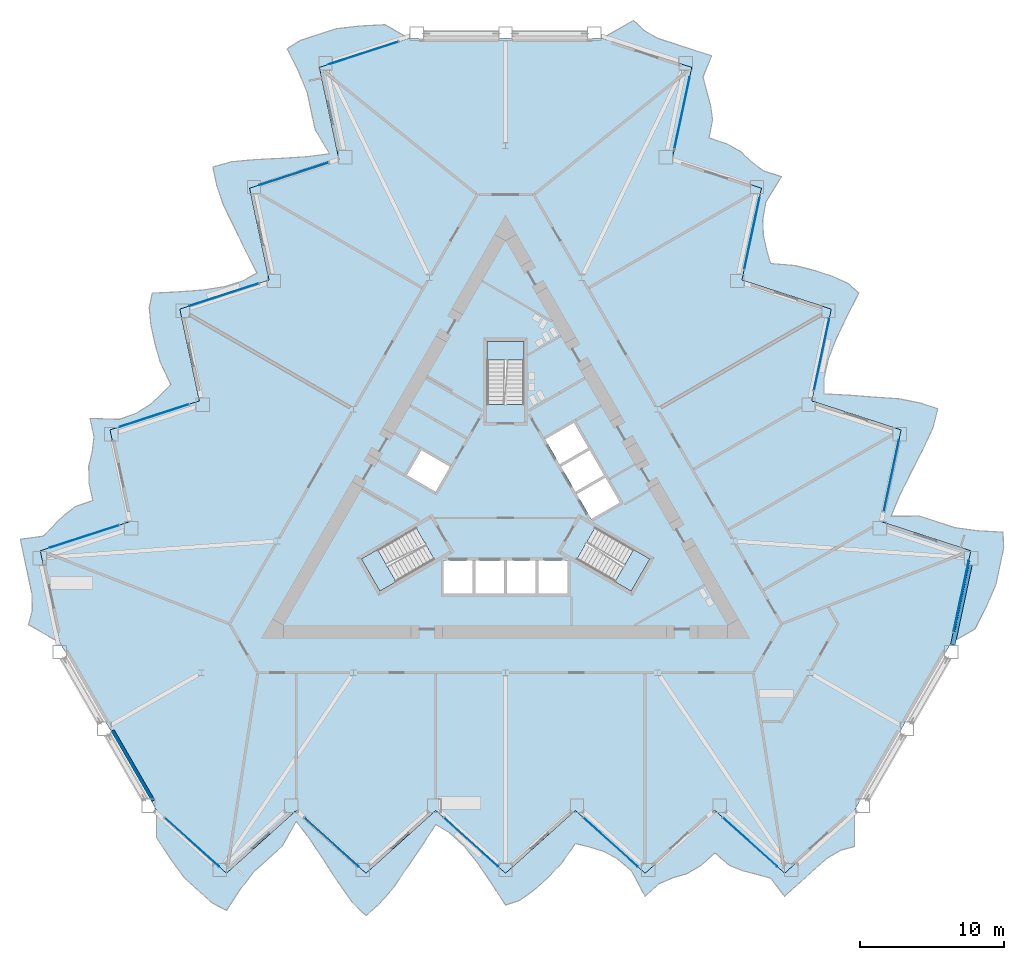
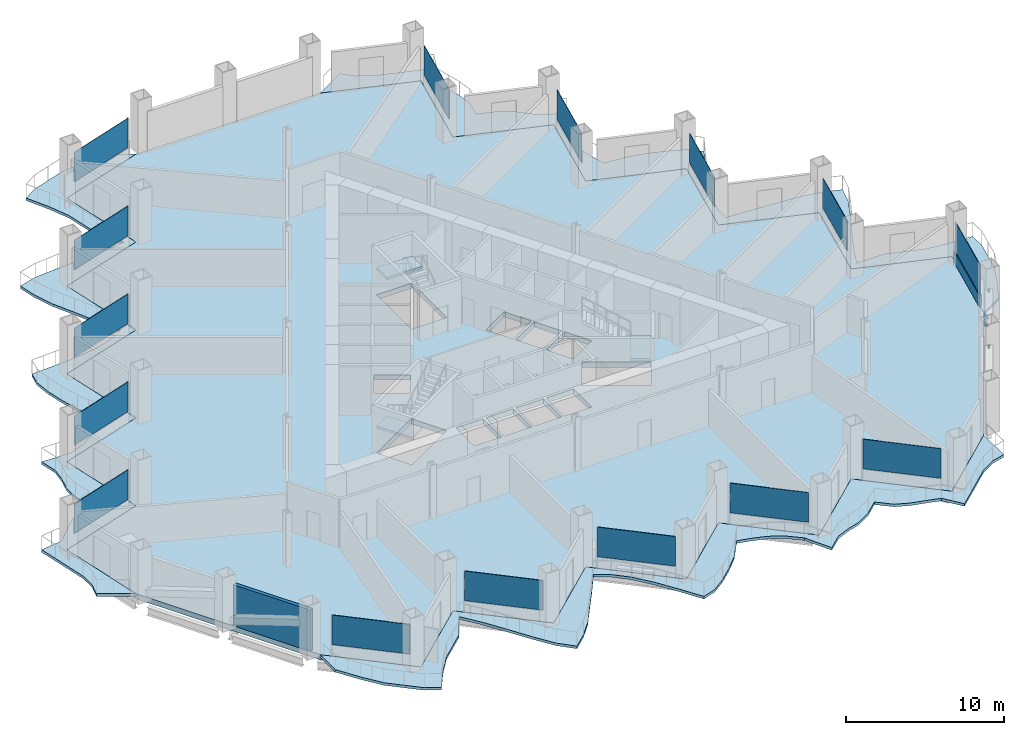
# One storey, part 8 of 21: 15 plates, 7 slabs, 1 beam, 1 member, 1 wall, 18 elements without a shape of their own.
"""IFC4 building model written with IfcOpenShell, lengths in metres."""

from ifc_helpers import new_model, si_unit, direction, frame, frame_2d, origin, origin_2d, place, context, subcontext, project, spatial, polyline, rectangle, i_section, outline, extrude, material, layer, layer_set, material_profile, profile_set, type_object, element, aggregate, save


model = new_model("IFC4")

# Units and contexts
model_context = context("Model", 3, precision=1e-05, world=origin(), true_north=direction((0.0, 1.0)))
body_context = subcontext(model_context, "Body", "Model", "MODEL_VIEW")
ifc_project = project(units=[si_unit("LENGTHUNIT", "METRE"), si_unit("AREAUNIT", "SQUARE_METRE"), si_unit("VOLUMEUNIT", "CUBIC_METRE"), si_unit("PLANEANGLEUNIT", "RADIAN"), si_unit("MASSUNIT", "GRAM", prefix="KILO")], contexts=[model_context])

# Site, building, storey
site_placement = place(None, origin())
site = spatial("IfcSite", under=ifc_project, at=site_placement, CompositionType="ELEMENT")
building_placement = place(site_placement, origin())
building = spatial("IfcBuilding", under=site, at=building_placement, Name="Cormorant Prow Tower", CompositionType="ELEMENT")
storey_placement = place(building_placement, frame((0.0, 0.0, 46.800048828125)))
storey = spatial("IfcBuildingStorey", under=building, at=storey_placement, Name="L09", CompositionType="ELEMENT", Elevation=46.800048828125)

# Curtain wall, member
ifc_material_1 = material(Name="Aluminium 6063-T6", Category="aluminium")
ifc_layer_1 = layer(ifc_material_1, 0.199951171875)
ifc_layer_set_1 = layer_set([ifc_layer_1], Name="Aluminium 6063-T6")
curtain_wall_type = type_object("IfcCurtainWallType", Name="Office unitised curtain wall 200", PredefinedType="NOTDEFINED", material=ifc_layer_set_1)
curtain_wall_1_placement = place(storey_placement, origin())
curtain_wall_1 = element("IfcCurtainWall", 1, at=curtain_wall_1_placement, inside=storey, type_object=curtain_wall_type, Name="Office curtain wall ENE00", PredefinedType="NOTDEFINED")
ifc_material_2 = material(Name="Terracotta", Category="masonry")
ifc_material_profile_1 = material_profile(ifc_material_2, rectangle(XDim=0.159912109375, YDim=0.89990234375, at=origin_2d()), Name="Office terracotta spandrel rail 160x900")
ifc_profile_set_1 = profile_set([ifc_material_profile_1], Name="Terracotta")
member_type = type_object("IfcMemberType", Name="Office terracotta spandrel rail 160x900", PredefinedType="USERDEFINED", material=ifc_profile_set_1)
member_placement = place(storey_placement, frame((31.15869140625, -9.37255859375, 0.449951171875), z_axis=(0.207895659842, 0.978151008086, 0.0), x_axis=(-0.978151008086, 0.207895659842, 0.0)))
member = element("IfcMember", 2, at=member_placement, type_object=member_type, Name="Office spandrel rail ENE00", ObjectType="TRANSOM", PredefinedType="USERDEFINED", context=body_context, shape_type="SweptSolid", body=[
    extrude(rectangle(XDim=0.159912109375, YDim=0.89990234375, at=origin_2d()), origin(), (0.0, 0.0, 1.0), 5.063720703125),
])

# Beam
ifc_material_3 = material(Name="Structural steel ASTM A992 Gr 50", Category="steel")
ifc_material_profile_2 = material_profile(ifc_material_3, i_section(OverallWidth=0.32373046875, OverallDepth=0.611083984375, WebThickness=0.0126953125, FlangeThickness=0.01904296875, at=origin_2d()), Name="W24x104")
ifc_profile_set_2 = profile_set([ifc_material_profile_2], Name="Structural steel ASTM A992 Gr 50")
beam_type = type_object("IfcBeamType", Name="Spandrel beam W24x104", PredefinedType="SPANDREL", material=ifc_profile_set_2)
beam_placement = place(storey_placement, frame((31.10400390625, -10.28466796875, -0.70556640625), z_axis=(0.207900376723, 0.97815000555, 0.0), x_axis=(-0.97815000555, 0.207900376723, 0.0)))
element("IfcBeam", 3, at=beam_placement, inside=storey, type_object=beam_type, Name="Spandrel beam SB1 ENE00-ENE01 L09", PredefinedType="SPANDREL", context=body_context, shape_type="SweptSolid", body=[
    extrude(i_section(OverallWidth=0.32373046875, OverallDepth=0.611083984375, WebThickness=0.0126953125, FlangeThickness=0.01904296875, at=origin_2d()), origin(), (0.0, 0.0, 1.0), 5.6826171875),
])

# Slabs
ifc_material_4 = material(Name="Concrete C40/50", Category="concrete")
ifc_layer_2 = layer(ifc_material_4, 0.199951171875)
ifc_layer_set_2 = layer_set([ifc_layer_2], Name="Concrete C40/50")
slab_type_1 = type_object("IfcSlabType", Name="Balcony slab 200", PredefinedType="FLOOR", material=ifc_layer_set_2)
slab_1_placement = place(storey_placement, frame((0.0, 0.0, -0.199951171875)))
element("IfcSlab", 4, at=slab_1_placement, inside=storey, type_object=slab_type_1, Name="Balcony slab S L09", PredefinedType="FLOOR", context=body_context, shape_type="SweptSolid", body=[
    extrude(outline(polyline([(-24.263427734375, -21.787353515625), (-24.263427734375, -23.687255859375), (-23.292724609375, -25.174560546875), (-22.322265625, -26.485107421875), (-21.351806640625, -27.35888671875), (-20.381103515625, -28.232666015625), (-19.41064453125, -28.73876953125), (-18.440185546875, -27.26318359375), (-17.469482421875, -26.0087890625), (-16.4990234375, -25.135009765625), (-15.528564453125, -24.26123046875), (-14.55810546875, -22.5439453125), (-13.58740234375, -23.81298828125), (-12.616943359375, -25.2744140625), (-11.646484375, -26.777099609375), (-10.67578125, -28.159423828125), (-9.705322265625, -29.106689453125), (-8.73486328125, -28.232666015625), (-7.76416015625, -27.1201171875), (-6.793701171875, -25.67529296875), (-5.8232421875, -24.26123046875), (-4.852783203125, -22.762939453125), (-3.882080078125, -23.3427734375), (-2.91162109375, -24.236328125), (-1.941162109375, -25.438232421875), (-0.970458984375, -26.864013671875), (0.0, -28.3720703125), (0.970458984375, -28.051025390625), (1.941162109375, -27.35888671875), (2.91162109375, -26.485107421875), (3.882080078125, -25.48779296875), (4.852783203125, -24.083251953125), (5.8232421875, -24.32421875), (6.793701171875, -24.62646484375), (7.76416015625, -25.13671875), (8.73486328125, -25.948486328125), (9.705322265625, -27.756591796875), (10.67578125, -26.8828125), (11.646484375, -26.46630859375), (12.616943359375, -26.180419921875), (13.58740234375, -25.611083984375), (14.55810546875, -24.7373046875), (15.528564453125, -25.587890625), (16.4990234375, -25.97998046875), (17.469482421875, -26.231689453125), (18.440185546875, -26.50341796875), (19.41064453125, -27.756591796875), (20.381103515625, -26.8828125), (21.351806640625, -26.0087890625), (22.322265625, -25.135009765625), (23.292724609375, -24.557861328125), (24.263427734375, -24.297607421875), (24.263427734375, -21.787353515625), (23.292724609375, -22.6611328125), (22.322265625, -23.534912109375), (21.351806640625, -24.408935546875), (20.381103515625, -25.28271484375), (19.41064453125, -26.15673828125), (18.440185546875, -25.28271484375), (17.469482421875, -24.408935546875), (16.4990234375, -23.534912109375), (15.528564453125, -22.6611328125), (14.55810546875, -21.787353515625), (13.58740234375, -22.6611328125), (12.616943359375, -23.534912109375), (11.646484375, -24.408935546875), (10.67578125, -25.28271484375), (9.705322265625, -26.15673828125), (8.73486328125, -25.28271484375), (7.76416015625, -24.408935546875), (6.793701171875, -23.534912109375), (5.8232421875, -22.6611328125), (4.852783203125, -21.787353515625), (3.882080078125, -22.6611328125), (2.91162109375, -23.534912109375), (1.941162109375, -24.408935546875), (0.970458984375, -25.28271484375), (0.0, -26.15673828125), (-0.970458984375, -25.28271484375), (-1.941162109375, -24.408935546875), (-2.91162109375, -23.534912109375), (-3.882080078125, -22.6611328125), (-4.852783203125, -21.787353515625), (-5.8232421875, -22.6611328125), (-6.793701171875, -23.534912109375), (-7.76416015625, -24.408935546875), (-8.73486328125, -25.28271484375), (-9.705322265625, -26.15673828125), (-10.67578125, -25.28271484375), (-11.646484375, -24.408935546875), (-12.616943359375, -23.534912109375), (-13.58740234375, -22.6611328125), (-14.55810546875, -21.787353515625), (-15.528564453125, -22.6611328125), (-16.4990234375, -23.534912109375), (-17.469482421875, -24.408935546875), (-18.440185546875, -25.28271484375), (-19.41064453125, -26.15673828125), (-20.381103515625, -25.28271484375), (-21.351806640625, -24.408935546875), (-22.322265625, -23.534912109375), (-23.292724609375, -22.6611328125), (-24.263427734375, -21.787353515625)])), origin(), (0.0, 0.0, 1.0), 0.199951171875),
])
slab_2_placement = place(storey_placement, frame((0.0, 0.0, -0.199951171875)))
element("IfcSlab", 5, at=slab_2_placement, inside=storey, type_object=slab_type_1, Name="Balcony slab ENE L09", PredefinedType="FLOOR", context=body_context, shape_type="SweptSolid", body=[
    extrude(outline(polyline([(31.0, -10.118896484375), (32.6455078125, -9.1689453125), (33.4482421875, -7.5849609375), (34.097900390625, -6.089111328125), (34.369384765625, -4.811767578125), (34.640869140625, -3.5341796875), (34.593994140625, -2.440673828125), (32.830810546875, -2.337890625), (31.25927734375, -2.124755859375), (30.01708984375, -1.72119140625), (28.775146484375, -1.317626953125), (26.802734375, -1.335693359375), (27.416259765625, 0.139404296875), (28.19677734375, 1.710693359375), (29.012939453125, 3.302490234375), (29.724609375, 4.834228515625), (30.059814453125, 6.148193359375), (28.817626953125, 6.5517578125), (27.368896484375, 6.8359375), (25.63232421875, 6.9541015625), (23.92236328125, 7.087646484375), (22.1396484375, 7.178955078125), (22.156494140625, 8.309326171875), (22.445068359375, 9.5966796875), (23.000732421875, 11.0380859375), (23.750244140625, 12.591552734375), (24.57080078125, 14.18603515625), (23.8076171875, 14.865966796875), (22.722900390625, 15.3603515625), (21.48095703125, 15.763916015625), (20.132080078125, 16.10595703125), (18.43017578125, 16.244140625), (18.15380859375, 17.205322265625), (17.93017578125, 18.19677734375), (17.88671875, 19.292236328125), (18.1044921875, 20.538818359375), (19.185302734375, 22.283447265625), (17.943115234375, 22.68701171875), (17.09716796875, 23.319091796875), (16.364501953125, 24.016845703125), (15.38623046875, 24.57275390625), (14.14404296875, 24.976318359375), (14.3955078125, 26.2421875), (14.249755859375, 27.278564453125), (13.982666015625, 28.2451171875), (13.732666015625, 29.221435546875), (14.33251953125, 30.6884765625), (13.090576171875, 31.092041015625), (11.8486328125, 31.49560546875), (10.6064453125, 31.899169921875), (9.621337890625, 32.450927734375), (8.91064453125, 33.161376953125), (6.736572265625, 31.90625), (7.978759765625, 31.502685546875), (9.220703125, 31.09912109375), (10.462890625, 30.695556640625), (11.704833984375, 30.2919921875), (12.947021484375, 29.888427734375), (12.675537109375, 28.611083984375), (12.404052734375, 27.33349609375), (12.13232421875, 26.05615234375), (11.86083984375, 24.778564453125), (11.58935546875, 23.501220703125), (12.831298828125, 23.09765625), (14.073486328125, 22.694091796875), (15.3154296875, 22.29052734375), (16.5576171875, 21.886962890625), (17.799560546875, 21.4833984375), (17.528076171875, 20.2060546875), (17.256591796875, 18.928466796875), (16.985107421875, 17.651123046875), (16.713623046875, 16.37353515625), (16.44189453125, 15.09619140625), (17.68408203125, 14.692626953125), (18.926025390625, 14.2890625), (20.168212890625, 13.885498046875), (21.41015625, 13.48193359375), (22.65234375, 13.078369140625), (22.380859375, 11.80078125), (22.109375, 10.5234375), (21.837646484375, 9.24609375), (21.566162109375, 7.968505859375), (21.294677734375, 6.691162109375), (22.53662109375, 6.28759765625), (23.77880859375, 5.884033203125), (25.020751953125, 5.48046875), (26.262939453125, 5.076904296875), (27.5048828125, 4.67333984375), (27.2333984375, 3.395751953125), (26.9619140625, 2.118408203125), (26.6904296875, 0.8408203125), (26.4189453125, -0.4365234375), (26.147216796875, -1.7138671875), (27.389404296875, -2.117431640625), (28.63134765625, -2.52099609375), (29.87353515625, -2.924560546875), (31.115478515625, -3.328125), (32.357666015625, -3.731689453125), (32.086181640625, -5.00927734375), (31.814697265625, -6.28662109375), (31.54296875, -7.564208984375), (31.271484375, -8.841552734375), (31.0, -10.118896484375)])), origin(), (0.0, 0.0, 1.0), 0.199951171875),
])
slab_3_placement = place(storey_placement, frame((0.0, 0.0, -0.199951171875)))
element("IfcSlab", 6, at=slab_3_placement, inside=storey, type_object=slab_type_1, Name="Balcony slab WNW L09", PredefinedType="FLOOR", context=body_context, shape_type="SweptSolid", body=[
    extrude(outline(polyline([(-6.736572265625, 31.90625), (-8.382080078125, 32.856201171875), (-10.1552734375, 32.75927734375), (-11.775634765625, 32.57421875), (-13.017578125, 32.170654296875), (-14.259765625, 31.76708984375), (-15.183349609375, 31.179443359375), (-14.390625, 29.601318359375), (-13.78955078125, 28.133544921875), (-13.51806640625, 26.856201171875), (-13.24658203125, 25.57861328125), (-12.24462890625, 23.879638671875), (-13.828857421875, 23.673583984375), (-15.579833984375, 23.563720703125), (-17.366455078125, 23.474609375), (-19.048828125, 23.3251953125), (-20.3544921875, 22.95849609375), (-20.0830078125, 21.680908203125), (-19.6044921875, 20.2841796875), (-18.838623046875, 18.72119140625), (-18.09912109375, 17.173583984375), (-17.286865234375, 15.583984375), (-18.2744140625, 15.033447265625), (-19.533447265625, 14.6396484375), (-21.0595703125, 14.400146484375), (-22.77978515625, 14.2724609375), (-24.57080078125, 14.18603515625), (-24.7783203125, 13.18505859375), (-24.6640625, 11.99853515625), (-24.392578125, 10.720947265625), (-24.01416015625, 9.3818359375), (-23.282958984375, 7.839111328125), (-23.97705078125, 7.119140625), (-24.723876953125, 6.4296875), (-25.651123046875, 5.84423828125), (-26.83935546875, 5.40966796875), (-28.890625, 5.47314453125), (-28.619140625, 4.19580078125), (-28.74365234375, 3.14697265625), (-28.9814453125, 2.16357421875), (-28.9736328125, 1.03857421875), (-28.7021484375, -0.239013671875), (-29.924072265625, -0.654052734375), (-30.748779296875, -1.298583984375), (-31.4521484375, -2.01318359375), (-32.172607421875, -2.718017578125), (-33.7431640625, -2.931884765625), (-33.4716796875, -4.209228515625), (-33.2001953125, -5.486572265625), (-32.9287109375, -6.76416015625), (-32.9140625, -7.893310546875), (-33.174072265625, -8.86376953125), (-31.0, -10.118896484375), (-31.271484375, -8.841552734375), (-31.54296875, -7.564208984375), (-31.814697265625, -6.28662109375), (-32.086181640625, -5.00927734375), (-32.357666015625, -3.731689453125), (-31.115478515625, -3.328125), (-29.87353515625, -2.924560546875), (-28.63134765625, -2.52099609375), (-27.389404296875, -2.117431640625), (-26.147216796875, -1.7138671875), (-26.4189453125, -0.4365234375), (-26.6904296875, 0.8408203125), (-26.9619140625, 2.118408203125), (-27.2333984375, 3.395751953125), (-27.5048828125, 4.67333984375), (-26.262939453125, 5.076904296875), (-25.020751953125, 5.48046875), (-23.77880859375, 5.884033203125), (-22.53662109375, 6.28759765625), (-21.294677734375, 6.691162109375), (-21.566162109375, 7.968505859375), (-21.837646484375, 9.24609375), (-22.109375, 10.5234375), (-22.380859375, 11.80078125), (-22.65234375, 13.078369140625), (-21.41015625, 13.48193359375), (-20.168212890625, 13.885498046875), (-18.926025390625, 14.2890625), (-17.68408203125, 14.692626953125), (-16.44189453125, 15.09619140625), (-16.713623046875, 16.37353515625), (-16.985107421875, 17.651123046875), (-17.256591796875, 18.928466796875), (-17.528076171875, 20.2060546875), (-17.799560546875, 21.4833984375), (-16.5576171875, 21.886962890625), (-15.3154296875, 22.29052734375), (-14.073486328125, 22.694091796875), (-12.831298828125, 23.09765625), (-11.58935546875, 23.501220703125), (-11.86083984375, 24.778564453125), (-12.13232421875, 26.05615234375), (-12.404052734375, 27.33349609375), (-12.675537109375, 28.611083984375), (-12.947021484375, 29.888427734375), (-11.704833984375, 30.2919921875), (-10.462890625, 30.695556640625), (-9.220703125, 31.09912109375), (-7.978759765625, 31.502685546875), (-6.736572265625, 31.90625)])), origin(), (0.0, 0.0, 1.0), 0.199951171875),
])

# Curtain wall, plate
curtain_wall_2_placement = place(storey_placement, origin())
curtain_wall_2 = element("IfcCurtainWall", 7, at=curtain_wall_2_placement, inside=storey, type_object=curtain_wall_type, Name="Office curtain wall S00", PredefinedType="NOTDEFINED")
ifc_material_5 = material(Name="Clear glass", Category="glass")
ifc_layer_3 = layer(ifc_material_5, 0.031982421875)
ifc_layer_set_3 = layer_set([ifc_layer_3], Name="Clear glass")
plate_type = type_object("IfcPlateType", Name="Office glass panel 32", PredefinedType="CURTAIN_PANEL", material=ifc_layer_set_3)
plate_1_placement = place(storey_placement, frame((-21.814697265625, -23.991943359375, 0.89990234375), z_axis=(0.0, 0.0, 1.0), x_axis=(0.743144855234, -0.66913057331, 0.0)))
plate_1 = element("IfcPlate", 8, at=plate_1_placement, type_object=plate_type, Name="Office glass panel S00", PredefinedType="CURTAIN_PANEL", context=body_context, shape_type="SweptSolid", body=[
    extrude(rectangle(XDim=5.06396484375, YDim=0.031982421875, at=origin_2d()), origin(), (0.0, 0.0, 1.0), 2.288818359375),
])
aggregate(curtain_wall_2, [plate_1])

curtain_wall_3_placement = place(storey_placement, origin())
curtain_wall_3 = element("IfcCurtainWall", 9, at=curtain_wall_3_placement, inside=storey, type_object=curtain_wall_type, Name="Office curtain wall S02", PredefinedType="NOTDEFINED")
plate_2_placement = place(storey_placement, frame((-12.109375, -23.991943359375, 0.89990234375), z_axis=(0.0, 0.0, 1.0), x_axis=(0.743144855234, -0.66913057331, 0.0)))
plate_2 = element("IfcPlate", 10, at=plate_2_placement, type_object=plate_type, Name="Office glass panel S02", PredefinedType="CURTAIN_PANEL", context=body_context, shape_type="SweptSolid", body=[
    extrude(rectangle(XDim=5.06396484375, YDim=0.031982421875, at=origin_2d()), origin(), (0.0, 0.0, 1.0), 2.288818359375),
])
aggregate(curtain_wall_3, [plate_2])

curtain_wall_4_placement = place(storey_placement, origin())
curtain_wall_4 = element("IfcCurtainWall", 11, at=curtain_wall_4_placement, inside=storey, type_object=curtain_wall_type, Name="Office curtain wall S04", PredefinedType="NOTDEFINED")
plate_3_placement = place(storey_placement, frame((-2.404052734375, -23.991943359375, 0.89990234375), z_axis=(0.0, 0.0, 1.0), x_axis=(0.743144855234, -0.66913057331, 0.0)))
plate_3 = element("IfcPlate", 12, at=plate_3_placement, type_object=plate_type, Name="Office glass panel S04", PredefinedType="CURTAIN_PANEL", context=body_context, shape_type="SweptSolid", body=[
    extrude(rectangle(XDim=5.06396484375, YDim=0.031982421875, at=origin_2d()), origin(), (0.0, 0.0, 1.0), 2.288818359375),
])
aggregate(curtain_wall_4, [plate_3])

curtain_wall_5_placement = place(storey_placement, origin())
curtain_wall_5 = element("IfcCurtainWall", 13, at=curtain_wall_5_placement, inside=storey, type_object=curtain_wall_type, Name="Office curtain wall S06", PredefinedType="NOTDEFINED")
plate_4_placement = place(storey_placement, frame((7.30126953125, -23.991943359375, 0.89990234375), z_axis=(0.0, 0.0, 1.0), x_axis=(0.74314478667, -0.669130649459, 0.0)))
plate_4 = element("IfcPlate", 14, at=plate_4_placement, type_object=plate_type, Name="Office glass panel S06", PredefinedType="CURTAIN_PANEL", context=body_context, shape_type="SweptSolid", body=[
    extrude(rectangle(XDim=5.06396484375, YDim=0.031982421875, at=origin_2d()), origin(), (0.0, 0.0, 1.0), 2.288818359375),
])
aggregate(curtain_wall_5, [plate_4])

curtain_wall_6_placement = place(storey_placement, origin())
curtain_wall_6 = element("IfcCurtainWall", 15, at=curtain_wall_6_placement, inside=storey, type_object=curtain_wall_type, Name="Office curtain wall S08", PredefinedType="NOTDEFINED")
plate_5_placement = place(storey_placement, frame((17.006591796875, -23.991943359375, 0.89990234375), z_axis=(0.0, 0.0, 1.0), x_axis=(0.743144855234, -0.66913057331, 0.0)))
plate_5 = element("IfcPlate", 16, at=plate_5_placement, type_object=plate_type, Name="Office glass panel S08", PredefinedType="CURTAIN_PANEL", context=body_context, shape_type="SweptSolid", body=[
    extrude(rectangle(XDim=5.06396484375, YDim=0.031982421875, at=origin_2d()), origin(), (0.0, 0.0, 1.0), 2.288818359375),
])
aggregate(curtain_wall_6, [plate_5])

# Plate
plate_6_placement = place(storey_placement, frame((31.68505859375, -6.89599609375, 0.89990234375), z_axis=(0.0, 0.0, 1.0), x_axis=(0.207911695052, 0.978147599834, 0.0)))
plate_6 = element("IfcPlate", 17, at=plate_6_placement, type_object=plate_type, Name="Office glass panel ENE00", PredefinedType="CURTAIN_PANEL", context=body_context, shape_type="SweptSolid", body=[
    extrude(rectangle(XDim=5.06396484375, YDim=0.031982421875, at=origin_2d()), origin(), (0.0, 0.0, 1.0), 2.288818359375),
])

aggregate(curtain_wall_1, [member, plate_6])

# Curtain wall, plate
curtain_wall_7_placement = place(storey_placement, origin())
curtain_wall_7 = element("IfcCurtainWall", 18, at=curtain_wall_7_placement, inside=storey, type_object=curtain_wall_type, Name="Office curtain wall ENE02", PredefinedType="NOTDEFINED")
plate_7_placement = place(storey_placement, frame((26.832275390625, 1.509033203125, 0.89990234375), z_axis=(0.0, 0.0, 1.0), x_axis=(0.207911695052, 0.978147599834, 0.0)))
plate_7 = element("IfcPlate", 19, at=plate_7_placement, type_object=plate_type, Name="Office glass panel ENE02", PredefinedType="CURTAIN_PANEL", context=body_context, shape_type="SweptSolid", body=[
    extrude(rectangle(XDim=5.06396484375, YDim=0.031982421875, at=origin_2d()), origin(), (0.0, 0.0, 1.0), 2.288818359375),
])
aggregate(curtain_wall_7, [plate_7])

curtain_wall_8_placement = place(storey_placement, origin())
curtain_wall_8 = element("IfcCurtainWall", 20, at=curtain_wall_8_placement, inside=storey, type_object=curtain_wall_type, Name="Office curtain wall ENE04", PredefinedType="NOTDEFINED")
plate_8_placement = place(storey_placement, frame((21.979736328125, 9.9140625, 0.89990234375), z_axis=(0.0, 0.0, 1.0), x_axis=(0.207911695052, 0.978147599834, 0.0)))
plate_8 = element("IfcPlate", 21, at=plate_8_placement, type_object=plate_type, Name="Office glass panel ENE04", PredefinedType="CURTAIN_PANEL", context=body_context, shape_type="SweptSolid", body=[
    extrude(rectangle(XDim=5.06396484375, YDim=0.031982421875, at=origin_2d()), origin(), (0.0, 0.0, 1.0), 2.288818359375),
])
aggregate(curtain_wall_8, [plate_8])

curtain_wall_9_placement = place(storey_placement, origin())
curtain_wall_9 = element("IfcCurtainWall", 22, at=curtain_wall_9_placement, inside=storey, type_object=curtain_wall_type, Name="Office curtain wall ENE06", PredefinedType="NOTDEFINED")
plate_9_placement = place(storey_placement, frame((17.126953125, 18.319091796875, 0.89990234375), z_axis=(0.0, 0.0, 1.0), x_axis=(0.207911548524, 0.978147630979, 0.0)))
plate_9 = element("IfcPlate", 23, at=plate_9_placement, type_object=plate_type, Name="Office glass panel ENE06", PredefinedType="CURTAIN_PANEL", context=body_context, shape_type="SweptSolid", body=[
    extrude(rectangle(XDim=5.06396484375, YDim=0.031982421875, at=origin_2d()), origin(), (0.0, 0.0, 1.0), 2.288818359375),
])
aggregate(curtain_wall_9, [plate_9])

curtain_wall_10_placement = place(storey_placement, origin())
curtain_wall_10 = element("IfcCurtainWall", 24, at=curtain_wall_10_placement, inside=storey, type_object=curtain_wall_type, Name="Office curtain wall ENE08", PredefinedType="NOTDEFINED")
plate_10_placement = place(storey_placement, frame((12.2744140625, 26.72412109375, 0.89990234375), z_axis=(0.0, 0.0, 1.0), x_axis=(0.207911695052, 0.978147599834, 0.0)))
plate_10 = element("IfcPlate", 25, at=plate_10_placement, type_object=plate_type, Name="Office glass panel ENE08", PredefinedType="CURTAIN_PANEL", context=body_context, shape_type="SweptSolid", body=[
    extrude(rectangle(XDim=5.06396484375, YDim=0.031982421875, at=origin_2d()), origin(), (0.0, 0.0, 1.0), 2.288818359375),
])
aggregate(curtain_wall_10, [plate_10])

curtain_wall_11_placement = place(storey_placement, origin())
curtain_wall_11 = element("IfcCurtainWall", 26, at=curtain_wall_11_placement, inside=storey, type_object=curtain_wall_type, Name="Office curtain wall WNW00", PredefinedType="NOTDEFINED")
plate_11_placement = place(storey_placement, frame((-9.870361328125, 30.88818359375, 0.89990234375), z_axis=(0.0, 0.0, 1.0), x_axis=(-0.951056534935, -0.309016937009, 0.0)))
plate_11 = element("IfcPlate", 27, at=plate_11_placement, type_object=plate_type, Name="Office glass panel WNW00", PredefinedType="CURTAIN_PANEL", context=body_context, shape_type="SweptSolid", body=[
    extrude(rectangle(XDim=5.06396484375, YDim=0.031982421875, at=origin_2d()), origin(), (0.0, 0.0, 1.0), 2.288818359375),
])
aggregate(curtain_wall_11, [plate_11])

curtain_wall_12_placement = place(storey_placement, origin())
curtain_wall_12 = element("IfcCurtainWall", 28, at=curtain_wall_12_placement, inside=storey, type_object=curtain_wall_type, Name="Office curtain wall WNW02", PredefinedType="NOTDEFINED")
plate_12_placement = place(storey_placement, frame((-14.72314453125, 22.483154296875, 0.89990234375), z_axis=(0.0, 0.0, 1.0), x_axis=(-0.951056534935, -0.309016937009, 0.0)))
plate_12 = element("IfcPlate", 29, at=plate_12_placement, type_object=plate_type, Name="Office glass panel WNW02", PredefinedType="CURTAIN_PANEL", context=body_context, shape_type="SweptSolid", body=[
    extrude(rectangle(XDim=5.06396484375, YDim=0.031982421875, at=origin_2d()), origin(), (0.0, 0.0, 1.0), 2.288818359375),
])
aggregate(curtain_wall_12, [plate_12])

curtain_wall_13_placement = place(storey_placement, origin())
curtain_wall_13 = element("IfcCurtainWall", 30, at=curtain_wall_13_placement, inside=storey, type_object=curtain_wall_type, Name="Office curtain wall WNW04", PredefinedType="NOTDEFINED")
plate_13_placement = place(storey_placement, frame((-19.57568359375, 14.077880859375, 0.89990234375), z_axis=(0.0, 0.0, 1.0), x_axis=(-0.951056549556, -0.309016892008, 0.0)))
plate_13 = element("IfcPlate", 31, at=plate_13_placement, type_object=plate_type, Name="Office glass panel WNW04", PredefinedType="CURTAIN_PANEL", context=body_context, shape_type="SweptSolid", body=[
    extrude(rectangle(XDim=5.06396484375, YDim=0.031982421875, at=origin_2d()), origin(), (0.0, 0.0, 1.0), 2.288818359375),
])
aggregate(curtain_wall_13, [plate_13])

curtain_wall_14_placement = place(storey_placement, origin())
curtain_wall_14 = element("IfcCurtainWall", 32, at=curtain_wall_14_placement, inside=storey, type_object=curtain_wall_type, Name="Office curtain wall WNW06", PredefinedType="NOTDEFINED")
plate_14_placement = place(storey_placement, frame((-24.428466796875, 5.6728515625, 0.89990234375), z_axis=(0.0, 0.0, 1.0), x_axis=(-0.951056534935, -0.309016937009, 0.0)))
plate_14 = element("IfcPlate", 33, at=plate_14_placement, type_object=plate_type, Name="Office glass panel WNW06", PredefinedType="CURTAIN_PANEL", context=body_context, shape_type="SweptSolid", body=[
    extrude(rectangle(XDim=5.06396484375, YDim=0.031982421875, at=origin_2d()), origin(), (0.0, 0.0, 1.0), 2.288818359375),
])
aggregate(curtain_wall_14, [plate_14])

curtain_wall_15_placement = place(storey_placement, origin())
curtain_wall_15 = element("IfcCurtainWall", 34, at=curtain_wall_15_placement, inside=storey, type_object=curtain_wall_type, Name="Office curtain wall WNW08", PredefinedType="NOTDEFINED")
plate_15_placement = place(storey_placement, frame((-29.281005859375, -2.732177734375, 0.89990234375), z_axis=(0.0, 0.0, 1.0), x_axis=(-0.951056549556, -0.309016892008, 0.0)))
plate_15 = element("IfcPlate", 35, at=plate_15_placement, type_object=plate_type, Name="Office glass panel WNW08", PredefinedType="CURTAIN_PANEL", context=body_context, shape_type="SweptSolid", body=[
    extrude(rectangle(XDim=5.06396484375, YDim=0.031982421875, at=origin_2d()), origin(), (0.0, 0.0, 1.0), 2.288818359375),
])
aggregate(curtain_wall_15, [plate_15])

# Slab
ifc_material_6 = material(Name="Concrete C40/50", Category="concrete")
ifc_layer_4 = layer(ifc_material_6, 0.39990234375)
ifc_layer_set_4 = layer_set([ifc_layer_4], Name="Concrete C40/50")
slab_type_2 = type_object("IfcSlabType", Name="Post-tensioned flat slab 400", PredefinedType="FLOOR", material=ifc_layer_set_4)
slab_4_placement = place(storey_placement, frame((0.0, 0.0, -0.400146484375)))
element("IfcSlab", 36, at=slab_4_placement, inside=storey, type_object=slab_type_2, Name="Floor slab L09", PredefinedType="FLOOR", context=body_context, shape_type="SweptSolid", body=[
    extrude(outline(polyline([(-12.947021484375, 29.888427734375), (-11.58935546875, 23.501220703125), (-17.799560546875, 21.4833984375), (-16.44189453125, 15.09619140625), (-22.65234375, 13.078369140625), (-21.294677734375, 6.691162109375), (-27.5048828125, 4.67333984375), (-26.147216796875, -1.7138671875), (-32.357666015625, -3.731689453125), (-31.0, -10.118896484375), (-27.631591796875, -15.953125), (-24.263427734375, -21.787353515625), (-19.41064453125, -26.15673828125), (-14.55810546875, -21.787353515625), (-9.705322265625, -26.15673828125), (-4.852783203125, -21.787353515625), (0.0, -26.15673828125), (4.852783203125, -21.787353515625), (9.705322265625, -26.15673828125), (14.55810546875, -21.787353515625), (19.41064453125, -26.15673828125), (24.263427734375, -21.787353515625), (27.631591796875, -15.953125), (31.0, -10.118896484375), (32.357666015625, -3.731689453125), (26.147216796875, -1.7138671875), (27.5048828125, 4.67333984375), (21.294677734375, 6.691162109375), (22.65234375, 13.078369140625), (16.44189453125, 15.09619140625), (17.799560546875, 21.4833984375), (11.58935546875, 23.501220703125), (12.947021484375, 29.888427734375), (6.736572265625, 31.90625), (0.0, 31.90625), (-6.736572265625, 31.90625), (-12.947021484375, 29.888427734375)]), holes=[polyline([(-4.300048828125, -6.699951171875), (-4.300048828125, -4.39990234375), (-2.300048828125, -4.39990234375), (-2.300048828125, -6.699951171875), (-4.300048828125, -6.699951171875)]), polyline([(-2.10009765625, -4.39990234375), (-0.10009765625, -4.39990234375), (-0.10009765625, -6.699951171875), (-2.10009765625, -6.699951171875), (-2.10009765625, -4.39990234375)]), polyline([(2.10009765625, -4.39990234375), (2.10009765625, -6.699951171875), (0.10009765625, -6.699951171875), (0.10009765625, -4.39990234375), (2.10009765625, -4.39990234375)]), polyline([(4.300048828125, -6.699951171875), (2.300048828125, -6.699951171875), (2.300048828125, -4.39990234375), (4.300048828125, -4.39990234375), (4.300048828125, -6.699951171875)]), polyline([(7.952392578125, -0.373779296875), (5.96044921875, -1.52392578125), (4.96044921875, 0.2080078125), (6.952392578125, 1.358154296875), (7.952392578125, -0.373779296875)]), polyline([(4.860595703125, 0.38134765625), (3.860595703125, 2.11328125), (5.852294921875, 3.263427734375), (6.852294921875, 1.53125), (4.860595703125, 0.38134765625)]), polyline([(2.760498046875, 4.018798828125), (4.75244140625, 5.168701171875), (5.75244140625, 3.4365234375), (3.760498046875, 2.28662109375), (2.760498046875, 4.018798828125)]), polyline([(-6.852294921875, 1.53125), (-5.852294921875, 3.263427734375), (-3.860595703125, 2.11328125), (-4.860595703125, 0.38134765625), (-6.852294921875, 1.53125)]), polyline([(-4.947509765625, -4.3505859375), (-8.738037109375, -6.5390625), (-10.031982421875, -4.2978515625), (-6.241455078125, -2.109375), (-4.947509765625, -4.3505859375)]), polyline([(10.031982421875, -4.2978515625), (8.738037109375, -6.5390625), (4.947509765625, -4.3505859375), (6.241455078125, -2.109375), (10.031982421875, -4.2978515625)]), polyline([(1.2939453125, 10.8369140625), (1.2939453125, 6.459716796875), (-1.2939453125, 6.459716796875), (-1.2939453125, 10.8369140625), (1.2939453125, 10.8369140625)])]), origin(), (0.0, 0.0, 1.0), 0.400146484375),
])

# Stair, slab
ifc_material_7 = material(Name="Exit stair 24 risers")
stair_type = type_object("IfcStairType", Name="Exit stair 24 risers", PredefinedType="HALF_TURN_STAIR", material=ifc_material_7)
stair_1_placement = place(storey_placement, origin())
stair_1 = element("IfcStair", 37, at=stair_1_placement, inside=storey, type_object=stair_type, Name="L09 Exit stair ST1", PredefinedType="HALF_TURN_STAIR")
ifc_material_8 = material(Name="Concrete 5000 psi", Category="concrete")
ifc_layer_5 = layer(ifc_material_8, 0.199951171875)
ifc_layer_set_5 = layer_set([ifc_layer_5], Name="Concrete 5000 psi")
slab_type_3 = type_object("IfcSlabType", Name="Stair landing 200", PredefinedType="LANDING", material=ifc_layer_set_5)
slab_5_placement = place(storey_placement, frame((0.0, 0.0, 1.89990234375)))
slab_5 = element("IfcSlab", 38, at=slab_5_placement, type_object=slab_type_3, Name="ST1 landing 1", PredefinedType="LANDING", context=body_context, shape_type="SweptSolid", body=[
    extrude(outline(polyline([(-8.90185546875, -3.645263671875), (-10.031982421875, -4.2978515625), (-8.738037109375, -6.5390625), (-7.60791015625, -5.886474609375), (-8.90185546875, -3.645263671875)])), origin(), (0.0, 0.0, 1.0), 0.199951171875),
])
aggregate(stair_1, [slab_5])

stair_2_placement = place(storey_placement, origin())
stair_2 = element("IfcStair", 39, at=stair_2_placement, inside=storey, type_object=stair_type, Name="L09 Exit stair ST2", PredefinedType="HALF_TURN_STAIR")
slab_6_placement = place(storey_placement, frame((0.0, 0.0, 1.89990234375)))
slab_6 = element("IfcSlab", 40, at=slab_6_placement, type_object=slab_type_3, Name="ST2 landing 1", PredefinedType="LANDING", context=body_context, shape_type="SweptSolid", body=[
    extrude(outline(polyline([(7.60791015625, -5.886474609375), (8.738037109375, -6.5390625), (10.031982421875, -4.2978515625), (8.90185546875, -3.645263671875), (7.60791015625, -5.886474609375)])), origin(), (0.0, 0.0, 1.0), 0.199951171875),
])
aggregate(stair_2, [slab_6])

stair_3_placement = place(storey_placement, origin())
stair_3 = element("IfcStair", 41, at=stair_3_placement, inside=storey, type_object=stair_type, Name="L09 Exit stair ST3", PredefinedType="HALF_TURN_STAIR")
slab_7_placement = place(storey_placement, frame((0.0, 0.0, 1.89990234375)))
slab_7 = element("IfcSlab", 42, at=slab_7_placement, type_object=slab_type_3, Name="ST3 landing 1", PredefinedType="LANDING", context=body_context, shape_type="SweptSolid", body=[
    extrude(outline(polyline([(1.2939453125, 9.53173828125), (1.2939453125, 10.8369140625), (-1.2939453125, 10.8369140625), (-1.2939453125, 9.53173828125), (1.2939453125, 9.53173828125)])), origin(), (0.0, 0.0, 1.0), 0.199951171875),
])
aggregate(stair_3, [slab_7])

# Wall
ifc_material_9 = material(Name="Terracotta", Category="masonry")
ifc_layer_6 = layer(ifc_material_9, 0.25)
ifc_layer_set_6 = layer_set([ifc_layer_6], Name="Terracotta")
wall_type = type_object("IfcWallType", Name="Terracotta bay wall 250", PredefinedType="SOLIDWALL", material=ifc_layer_set_6)
wall_placement = place(storey_placement, frame((-27.32861328125, -16.22802734375, 0.0), z_axis=(0.0, 0.0, 1.0), x_axis=(0.49999579099, -0.866027833844, 0.0)))
element("IfcWall", 43, at=wall_placement, inside=storey, type_object=wall_type, Name="Terracotta bay wall WSW01", PredefinedType="SOLIDWALL", context=body_context, shape_type="SweptSolid", body=[
    extrude(rectangle(XDim=5.64404296875, YDim=0.25, at=frame_2d((2.822021484375, 0.0))), origin(), (0.0, 0.0, 1.0), 3.18896484375),
])

save(model, "model.ifc")
